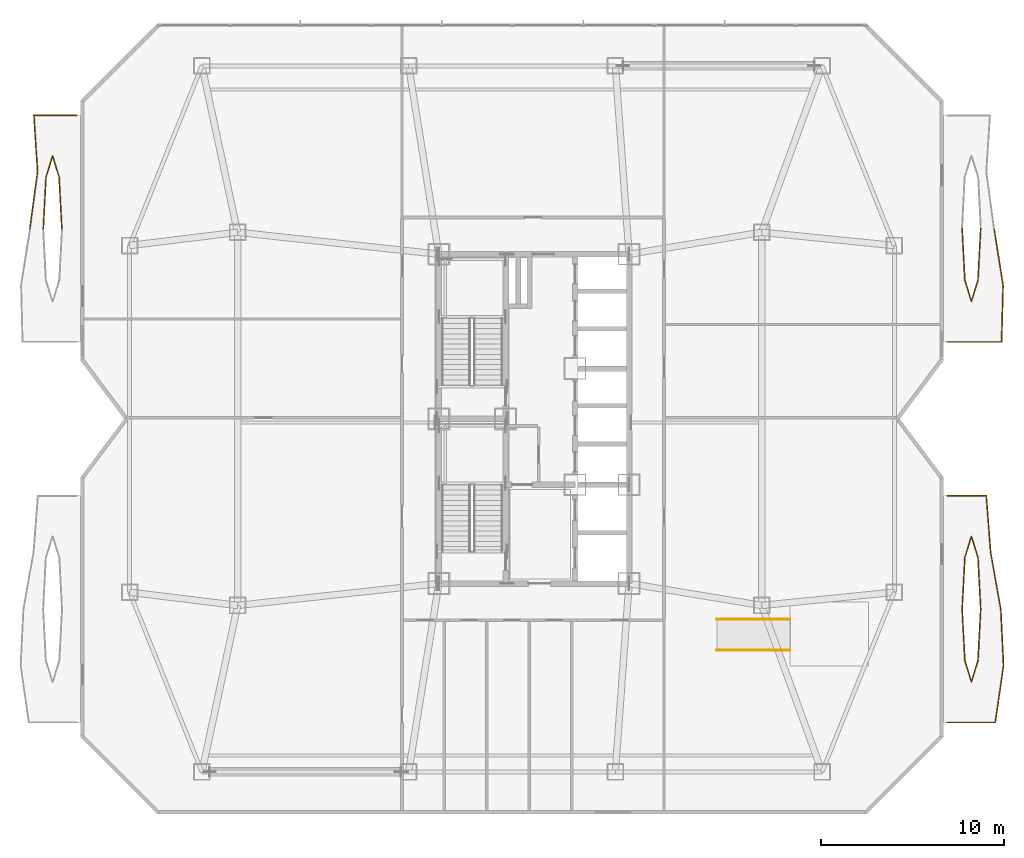
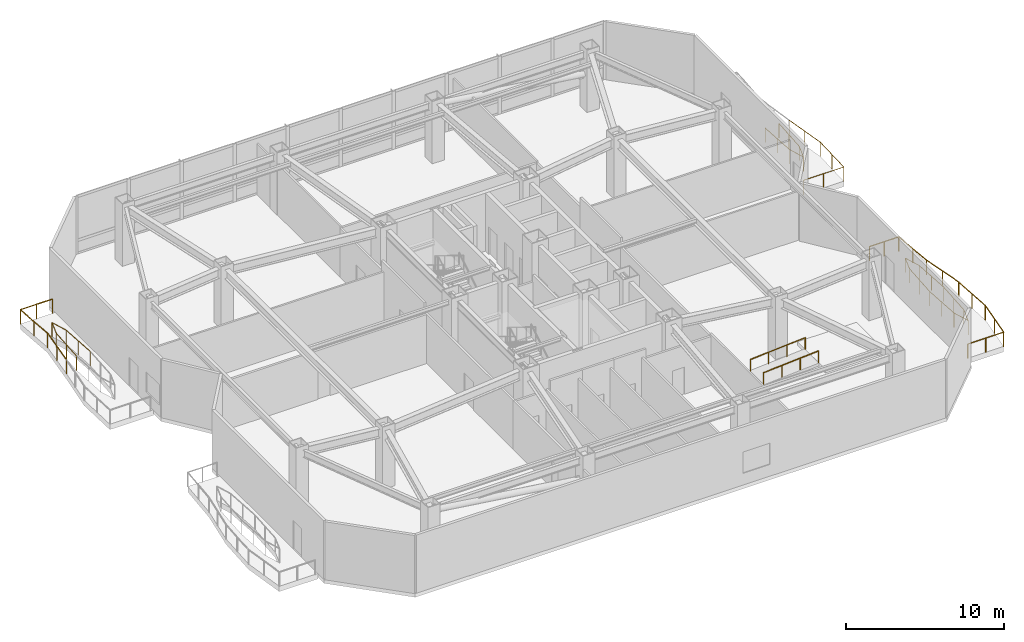
# One storey, part 15 of 16: 10 railings.
"""IFC4 building model written with IfcOpenShell, lengths in metres."""

from ifc_helpers import new_model, si_unit, direction, frame, origin, origin_2d, place, context, subcontext, project, spatial, circle, extrude, material, type_object, element, save


model = new_model("IFC4")

# Units and contexts
model_context = context("Model", 3, precision=1e-05, world=origin(), true_north=direction((0.0, 1.0)))
body_context = subcontext(model_context, "Body", "Model", "MODEL_VIEW")
ifc_project = project(units=[si_unit("LENGTHUNIT", "METRE"), si_unit("AREAUNIT", "SQUARE_METRE"), si_unit("VOLUMEUNIT", "CUBIC_METRE"), si_unit("PLANEANGLEUNIT", "RADIAN"), si_unit("MASSUNIT", "GRAM", prefix="KILO")], contexts=[model_context])

# Site, building, storey
site_placement = place(None, origin())
site = spatial("IfcSite", under=ifc_project, at=site_placement, CompositionType="ELEMENT")
building_placement = place(site_placement, origin())
building = spatial("IfcBuilding", under=site, at=building_placement, Name="Khamvora Tower", CompositionType="ELEMENT")
storey_placement = place(building_placement, frame((0.0, 0.0, 145.699951171875)))
storey = spatial("IfcBuildingStorey", under=building, at=storey_placement, Name="L37", CompositionType="ELEMENT", Elevation=145.699951171875)

# Railings
ifc_material_1 = material(Name="Stainless Steel 316 and Laminated Glass", Category="steel")
railing_type_1 = type_object("IfcRailingType", Name="RAL-GAL-1120", PredefinedType="GUARDRAIL", material=ifc_material_1)
railing_1_placement = place(storey_placement, frame((56.800048828125, 11.39990234375, 0.0)))
element("IfcRailing", 1, at=railing_1_placement, inside=storey, type_object=railing_type_1, Name="L37 lens gallery south perimeter guardrail EL1", PredefinedType="GUARDRAIL", context=body_context, shape_type="SweptSolid", body=[
    extrude(circle(Radius=0.02392578125, at=origin_2d()), frame((0.0, 0.0, 1.09619140625), z_axis=(1.0, 0.0, 0.0), x_axis=(0.0, 1.0, 0.0)), (0.0, 0.0, 1.0), 2.619873046875),
    extrude(circle(Radius=0.02392578125, at=origin_2d()), frame((2.619873046875, 0.0, 1.09619140625), z_axis=(0.144322789982, 0.989530662633, 0.0), x_axis=(-0.989530662633, 0.144322789982, 0.0)), (0.0, 0.0, 1.0), 3.1328125),
    extrude(circle(Radius=0.02392578125, at=origin_2d()), frame((3.072021484375, 3.10009765625, 1.09619140625), z_axis=(-0.0476697959, 0.998863149064, 0.0), x_axis=(-0.998863149064, -0.0476697959, 0.0)), (0.0, 0.0, 1.0), 3.103515625),
    extrude(circle(Radius=0.02099609375, at=origin_2d()), origin(), (0.0, 0.0, 1.0), 1.072021484375),
    extrude(circle(Radius=0.02099609375, at=origin_2d()), frame((1.31005859375, 0.0, 0.0)), (0.0, 0.0, 1.0), 1.072021484375),
    extrude(circle(Radius=0.02099609375, at=origin_2d()), frame((2.619873046875, 0.0, 0.0)), (0.0, 0.0, 1.0), 1.072021484375),
    extrude(circle(Radius=0.02099609375, at=origin_2d()), frame((2.845947265625, 1.550048828125, 0.0)), (0.0, 0.0, 1.0), 1.072021484375),
    extrude(circle(Radius=0.02099609375, at=origin_2d()), frame((3.072021484375, 3.10009765625, 0.0)), (0.0, 0.0, 1.0), 1.072021484375),
    extrude(circle(Radius=0.02099609375, at=origin_2d()), frame((2.998046875, 4.650146484375, 0.0)), (0.0, 0.0, 1.0), 1.072021484375),
    extrude(circle(Radius=0.02099609375, at=origin_2d()), frame((2.924072265625, 6.2001953125, 0.0)), (0.0, 0.0, 1.0), 1.072021484375),
])
railing_2_placement = place(storey_placement, frame((59.72412109375, 17.60009765625, 0.0)))
element("IfcRailing", 2, at=railing_2_placement, inside=storey, type_object=railing_type_1, Name="L37 lens gallery north perimeter guardrail EL1", PredefinedType="GUARDRAIL", context=body_context, shape_type="SweptSolid", body=[
    extrude(circle(Radius=0.02392578125, at=origin_2d()), frame((0.0, 0.0, 1.09619140625), z_axis=(-0.176592812148, 0.984283992909, 0.0), x_axis=(-0.984283992909, -0.176592812148, 0.0)), (0.0, 0.0, 1.0), 3.1494140625),
    extrude(circle(Radius=0.02392578125, at=origin_2d()), frame((-0.55615234375, 3.099853515625, 1.09619140625), z_axis=(-0.075933858286, 0.997112856785, 0.0), x_axis=(-0.997112856785, -0.075933858286, 0.0)), (0.0, 0.0, 1.0), 3.109130859375),
    extrude(circle(Radius=0.02392578125, at=origin_2d()), frame((-0.792236328125, 6.199951171875, 1.09619140625), z_axis=(-1.0, 0.0, 0.0), x_axis=(0.0, -1.0, 0.0)), (0.0, 0.0, 1.0), 2.1318359375),
    extrude(circle(Radius=0.02099609375, at=origin_2d()), origin(), (0.0, 0.0, 1.0), 1.072021484375),
    extrude(circle(Radius=0.02099609375, at=origin_2d()), frame((-0.278076171875, 1.5498046875, 0.0)), (0.0, 0.0, 1.0), 1.072021484375),
    extrude(circle(Radius=0.02099609375, at=origin_2d()), frame((-0.55615234375, 3.099853515625, 0.0)), (0.0, 0.0, 1.0), 1.072021484375),
    extrude(circle(Radius=0.02099609375, at=origin_2d()), frame((-0.67431640625, 4.64990234375, 0.0)), (0.0, 0.0, 1.0), 1.072021484375),
    extrude(circle(Radius=0.02099609375, at=origin_2d()), frame((-0.792236328125, 6.199951171875, 0.0)), (0.0, 0.0, 1.0), 1.072021484375),
    extrude(circle(Radius=0.02099609375, at=origin_2d()), frame((-1.858154296875, 6.199951171875, 0.0)), (0.0, 0.0, 1.0), 1.072021484375),
    extrude(circle(Radius=0.02099609375, at=origin_2d()), frame((-2.924072265625, 6.199951171875, 0.0)), (0.0, 0.0, 1.0), 1.072021484375),
])
railing_3_placement = place(storey_placement, frame((58.618896484375, 17.60009765625, 0.0)))
element("IfcRailing", 3, at=railing_3_placement, inside=storey, type_object=railing_type_1, Name="L37 lens gallery void guardrail EL1A", PredefinedType="GUARDRAIL", context=body_context, shape_type="SweptSolid", body=[
    extrude(circle(Radius=0.02392578125, at=origin_2d()), frame((0.0, 0.0, 1.09619140625), z_axis=(-0.052654602562, 0.998612784231, 0.0), x_axis=(-0.998612784231, -0.052654602562, 0.0)), (0.0, 0.0, 1.0), 2.809814453125),
    extrude(circle(Radius=0.02392578125, at=origin_2d()), frame((-0.14794921875, 2.805908203125, 1.09619140625), z_axis=(-0.292871691974, 0.956151751575, 0.0), x_axis=(-0.956151751575, -0.292871691974, 0.0)), (0.0, 0.0, 1.0), 1.21533203125),
    extrude(circle(Radius=0.02392578125, at=origin_2d()), frame((-0.50390625, 3.968017578125, 1.09619140625), z_axis=(-0.292871691974, -0.956151751575, 0.0), x_axis=(0.956151751575, -0.292871691974, 0.0)), (0.0, 0.0, 1.0), 1.21533203125),
    extrude(circle(Radius=0.02392578125, at=origin_2d()), frame((-0.85986328125, 2.805908203125, 1.09619140625), z_axis=(-0.052654602562, -0.998612784231, 0.0), x_axis=(0.998612784231, -0.052654602562, 0.0)), (0.0, 0.0, 1.0), 2.809814453125),
    extrude(circle(Radius=0.02099609375, at=origin_2d()), origin(), (0.0, 0.0, 1.0), 1.072021484375),
    extrude(circle(Radius=0.02099609375, at=origin_2d()), frame((-0.073974609375, 1.40283203125, 0.0)), (0.0, 0.0, 1.0), 1.072021484375),
    extrude(circle(Radius=0.02099609375, at=origin_2d()), frame((-0.14794921875, 2.805908203125, 0.0)), (0.0, 0.0, 1.0), 1.072021484375),
    extrude(circle(Radius=0.02099609375, at=origin_2d()), frame((-0.50390625, 3.968017578125, 0.0)), (0.0, 0.0, 1.0), 1.072021484375),
    extrude(circle(Radius=0.02099609375, at=origin_2d()), frame((-0.85986328125, 2.805908203125, 0.0)), (0.0, 0.0, 1.0), 1.072021484375),
    extrude(circle(Radius=0.02099609375, at=origin_2d()), frame((-0.933837890625, 1.40283203125, 0.0)), (0.0, 0.0, 1.0), 1.072021484375),
    extrude(circle(Radius=0.02099609375, at=origin_2d()), frame((-1.0078125, 0.0, 0.0)), (0.0, 0.0, 1.0), 1.072021484375),
])
railing_4_placement = place(storey_placement, frame((57.611083984375, 17.60009765625, 0.0)))
element("IfcRailing", 4, at=railing_4_placement, inside=storey, type_object=railing_type_1, Name="L37 lens gallery void guardrail EL1B", PredefinedType="GUARDRAIL", context=body_context, shape_type="SweptSolid", body=[
    extrude(circle(Radius=0.02392578125, at=origin_2d()), frame((0.0, 0.0, 1.09619140625), z_axis=(0.05265003421, -0.998613025099, 0.0), x_axis=(0.998613025099, 0.05265003421, 0.0)), (0.0, 0.0, 1.0), 2.81005859375),
    extrude(circle(Radius=0.02392578125, at=origin_2d()), frame((0.14794921875, -2.80615234375, 1.09619140625), z_axis=(0.292927952476, -0.956134517031, 0.0), x_axis=(0.956134517031, 0.292927952476, 0.0)), (0.0, 0.0, 1.0), 1.215087890625),
    extrude(circle(Radius=0.02392578125, at=origin_2d()), frame((0.50390625, -3.968017578125, 1.09619140625), z_axis=(0.292927952476, 0.956134517031, 0.0), x_axis=(-0.956134517031, 0.292927952476, 0.0)), (0.0, 0.0, 1.0), 1.215087890625),
    extrude(circle(Radius=0.02392578125, at=origin_2d()), frame((0.85986328125, -2.80615234375, 1.09619140625), z_axis=(0.05265003421, 0.998613025099, 0.0), x_axis=(-0.998613025099, 0.05265003421, 0.0)), (0.0, 0.0, 1.0), 2.81005859375),
    extrude(circle(Radius=0.02099609375, at=origin_2d()), origin(), (0.0, 0.0, 1.0), 1.072021484375),
    extrude(circle(Radius=0.02099609375, at=origin_2d()), frame((0.073974609375, -1.403076171875, 0.0)), (0.0, 0.0, 1.0), 1.072021484375),
    extrude(circle(Radius=0.02099609375, at=origin_2d()), frame((0.14794921875, -2.80615234375, 0.0)), (0.0, 0.0, 1.0), 1.072021484375),
    extrude(circle(Radius=0.02099609375, at=origin_2d()), frame((0.50390625, -3.968017578125, 0.0)), (0.0, 0.0, 1.0), 1.072021484375),
    extrude(circle(Radius=0.02099609375, at=origin_2d()), frame((0.85986328125, -2.80615234375, 0.0)), (0.0, 0.0, 1.0), 1.072021484375),
    extrude(circle(Radius=0.02099609375, at=origin_2d()), frame((0.933837890625, -1.403076171875, 0.0)), (0.0, 0.0, 1.0), 1.072021484375),
    extrude(circle(Radius=0.02099609375, at=origin_2d()), frame((1.0078125, 0.0, 0.0)), (0.0, 0.0, 1.0), 1.072021484375),
])
railing_5_placement = place(storey_placement, frame((56.800048828125, 32.199951171875, 0.0)))
element("IfcRailing", 5, at=railing_5_placement, inside=storey, type_object=railing_type_1, Name="L37 lens gallery south perimeter guardrail EL2", PredefinedType="GUARDRAIL", context=body_context, shape_type="SweptSolid", body=[
    extrude(circle(Radius=0.02392578125, at=origin_2d()), frame((0.0, 0.0, 1.09619140625), z_axis=(1.0, 0.0, 0.0), x_axis=(0.0, 1.0, 0.0)), (0.0, 0.0, 1.0), 2.967041015625),
    extrude(circle(Radius=0.02392578125, at=origin_2d()), frame((2.967041015625, 0.0, 1.09619140625), z_axis=(0.026451601196, 0.99965009518, 0.0), x_axis=(-0.99965009518, 0.026451601196, 0.0)), (0.0, 0.0, 1.0), 3.10107421875),
    extrude(circle(Radius=0.02392578125, at=origin_2d()), frame((3.049072265625, 3.10009765625, 1.09619140625), z_axis=(-0.155826743206, 0.987784402641, 0.0), x_axis=(-0.987784402641, -0.155826743206, 0.0)), (0.0, 0.0, 1.0), 3.13818359375),
    extrude(circle(Radius=0.02099609375, at=origin_2d()), origin(), (0.0, 0.0, 1.0), 1.072021484375),
    extrude(circle(Radius=0.02099609375, at=origin_2d()), frame((1.4833984375, 0.0, 0.0)), (0.0, 0.0, 1.0), 1.072021484375),
    extrude(circle(Radius=0.02099609375, at=origin_2d()), frame((2.967041015625, 0.0, 0.0)), (0.0, 0.0, 1.0), 1.072021484375),
    extrude(circle(Radius=0.02099609375, at=origin_2d()), frame((3.008056640625, 1.550048828125, 0.0)), (0.0, 0.0, 1.0), 1.072021484375),
    extrude(circle(Radius=0.02099609375, at=origin_2d()), frame((3.049072265625, 3.10009765625, 0.0)), (0.0, 0.0, 1.0), 1.072021484375),
    extrude(circle(Radius=0.02099609375, at=origin_2d()), frame((2.8046875, 4.64990234375, 0.0)), (0.0, 0.0, 1.0), 1.072021484375),
    extrude(circle(Radius=0.02099609375, at=origin_2d()), frame((2.56005859375, 6.199951171875, 0.0)), (0.0, 0.0, 1.0), 1.072021484375),
])
railing_6_placement = place(storey_placement, frame((57.611083984375, 38.39990234375, 0.0)))
element("IfcRailing", 6, at=railing_6_placement, inside=storey, type_object=railing_type_1, Name="L37 lens gallery void guardrail EL2B", PredefinedType="GUARDRAIL", context=body_context, shape_type="SweptSolid", body=[
    extrude(circle(Radius=0.02392578125, at=origin_2d()), frame((0.0, 0.0, 1.09619140625), z_axis=(0.052654602562, -0.998612784231, 0.0), x_axis=(0.998612784231, 0.052654602562, 0.0)), (0.0, 0.0, 1.0), 2.809814453125),
    extrude(circle(Radius=0.02392578125, at=origin_2d()), frame((0.14794921875, -2.805908203125, 1.09619140625), z_axis=(0.292871691974, -0.956151751575, 0.0), x_axis=(0.956151751575, 0.292871691974, 0.0)), (0.0, 0.0, 1.0), 1.21533203125),
    extrude(circle(Radius=0.02392578125, at=origin_2d()), frame((0.50390625, -3.968017578125, 1.09619140625), z_axis=(0.292871691974, 0.956151751575, 0.0), x_axis=(-0.956151751575, 0.292871691974, 0.0)), (0.0, 0.0, 1.0), 1.21533203125),
    extrude(circle(Radius=0.02392578125, at=origin_2d()), frame((0.85986328125, -2.805908203125, 1.09619140625), z_axis=(0.052654602562, 0.998612784231, 0.0), x_axis=(-0.998612784231, 0.052654602562, 0.0)), (0.0, 0.0, 1.0), 2.809814453125),
    extrude(circle(Radius=0.02099609375, at=origin_2d()), origin(), (0.0, 0.0, 1.0), 1.072021484375),
    extrude(circle(Radius=0.02099609375, at=origin_2d()), frame((0.073974609375, -1.40283203125, 0.0)), (0.0, 0.0, 1.0), 1.072021484375),
    extrude(circle(Radius=0.02099609375, at=origin_2d()), frame((0.14794921875, -2.805908203125, 0.0)), (0.0, 0.0, 1.0), 1.072021484375),
    extrude(circle(Radius=0.02099609375, at=origin_2d()), frame((0.50390625, -3.968017578125, 0.0)), (0.0, 0.0, 1.0), 1.072021484375),
    extrude(circle(Radius=0.02099609375, at=origin_2d()), frame((0.85986328125, -2.805908203125, 0.0)), (0.0, 0.0, 1.0), 1.072021484375),
    extrude(circle(Radius=0.02099609375, at=origin_2d()), frame((0.933837890625, -1.40283203125, 0.0)), (0.0, 0.0, 1.0), 1.072021484375),
    extrude(circle(Radius=0.02099609375, at=origin_2d()), frame((1.0078125, 0.0, 0.0)), (0.0, 0.0, 1.0), 1.072021484375),
])
railing_7_placement = place(storey_placement, frame((6.639892578125, 38.39990234375, 0.0)))
element("IfcRailing", 7, at=railing_7_placement, inside=storey, type_object=railing_type_1, Name="L37 lens gallery north perimeter guardrail WL2", PredefinedType="GUARDRAIL", context=body_context, shape_type="SweptSolid", body=[
    extrude(circle(Radius=0.02392578125, at=origin_2d()), frame((0.0, 0.0, 1.09619140625), z_axis=(0.134305225995, 0.990940011439, 0.0), x_axis=(-0.990940011439, 0.134305225995, 0.0)), (0.0, 0.0, 1.0), 3.12841796875),
    extrude(circle(Radius=0.02392578125, at=origin_2d()), frame((0.420166015625, 3.10009765625, 1.09619140625), z_axis=(-0.063738458242, 0.997966637188, 0.0), x_axis=(-0.997966637188, -0.063738458242, 0.0)), (0.0, 0.0, 1.0), 3.1064453125),
    extrude(circle(Radius=0.02392578125, at=origin_2d()), frame((0.22216796875, 6.2001953125, 1.09619140625), z_axis=(1.0, 0.0, 0.0), x_axis=(0.0, 1.0, 0.0)), (0.0, 0.0, 1.0), 2.337890625),
    extrude(circle(Radius=0.02099609375, at=origin_2d()), origin(), (0.0, 0.0, 1.0), 1.072021484375),
    extrude(circle(Radius=0.02099609375, at=origin_2d()), frame((0.2099609375, 1.550048828125, 0.0)), (0.0, 0.0, 1.0), 1.072021484375),
    extrude(circle(Radius=0.02099609375, at=origin_2d()), frame((0.420166015625, 3.10009765625, 0.0)), (0.0, 0.0, 1.0), 1.072021484375),
    extrude(circle(Radius=0.02099609375, at=origin_2d()), frame((0.3212890625, 4.650146484375, 0.0)), (0.0, 0.0, 1.0), 1.072021484375),
    extrude(circle(Radius=0.02099609375, at=origin_2d()), frame((0.22216796875, 6.2001953125, 0.0)), (0.0, 0.0, 1.0), 1.072021484375),
    extrude(circle(Radius=0.02099609375, at=origin_2d()), frame((1.39111328125, 6.2001953125, 0.0)), (0.0, 0.0, 1.0), 1.072021484375),
    extrude(circle(Radius=0.02099609375, at=origin_2d()), frame((2.56005859375, 6.2001953125, 0.0)), (0.0, 0.0, 1.0), 1.072021484375),
])
railing_8_placement = place(storey_placement, frame((8.388916015625, 38.39990234375, 0.0)))
element("IfcRailing", 8, at=railing_8_placement, inside=storey, type_object=railing_type_1, Name="L37 lens gallery void guardrail WL2A", PredefinedType="GUARDRAIL", context=body_context, shape_type="SweptSolid", body=[
    extrude(circle(Radius=0.02392578125, at=origin_2d()), frame((0.0, 0.0, 1.09619140625), z_axis=(-0.05265003421, 0.998613025099, 0.0), x_axis=(-0.998613025099, -0.05265003421, 0.0)), (0.0, 0.0, 1.0), 2.81005859375),
    extrude(circle(Radius=0.02392578125, at=origin_2d()), frame((-0.14794921875, 2.80615234375, 1.09619140625), z_axis=(-0.292927952476, 0.956134517031, 0.0), x_axis=(-0.956134517031, -0.292927952476, 0.0)), (0.0, 0.0, 1.0), 1.215087890625),
    extrude(circle(Radius=0.02392578125, at=origin_2d()), frame((-0.50390625, 3.968017578125, 1.09619140625), z_axis=(-0.292927952476, -0.956134517031, 0.0), x_axis=(0.956134517031, -0.292927952476, 0.0)), (0.0, 0.0, 1.0), 1.215087890625),
    extrude(circle(Radius=0.02392578125, at=origin_2d()), frame((-0.85986328125, 2.80615234375, 1.09619140625), z_axis=(-0.05265003421, -0.998613025099, 0.0), x_axis=(0.998613025099, -0.05265003421, 0.0)), (0.0, 0.0, 1.0), 2.81005859375),
    extrude(circle(Radius=0.02099609375, at=origin_2d()), origin(), (0.0, 0.0, 1.0), 1.072021484375),
    extrude(circle(Radius=0.02099609375, at=origin_2d()), frame((-0.073974609375, 1.403076171875, 0.0)), (0.0, 0.0, 1.0), 1.072021484375),
    extrude(circle(Radius=0.02099609375, at=origin_2d()), frame((-0.14794921875, 2.80615234375, 0.0)), (0.0, 0.0, 1.0), 1.072021484375),
    extrude(circle(Radius=0.02099609375, at=origin_2d()), frame((-0.50390625, 3.968017578125, 0.0)), (0.0, 0.0, 1.0), 1.072021484375),
    extrude(circle(Radius=0.02099609375, at=origin_2d()), frame((-0.85986328125, 2.80615234375, 0.0)), (0.0, 0.0, 1.0), 1.072021484375),
    extrude(circle(Radius=0.02099609375, at=origin_2d()), frame((-0.933837890625, 1.403076171875, 0.0)), (0.0, 0.0, 1.0), 1.072021484375),
    extrude(circle(Radius=0.02099609375, at=origin_2d()), frame((-1.0078125, 0.0, 0.0)), (0.0, 0.0, 1.0), 1.072021484375),
])
ifc_material_2 = material(Name="Brushed Stainless Steel 316", Category="steel")
railing_type_2 = type_object("IfcRailingType", Name="RAL-HDR-920", PredefinedType="HANDRAIL", material=ifc_material_2)
for number, where, name in (
    (9, (44.199951171875, 15.360107421875, 0.0), "L37 Sky-Garden Accessible Planter Deck Ramp RMP-02 handrail 1"),
    (10, (44.199951171875, 17.0400390625, 0.0), "L37 Sky-Garden Accessible Planter Deck Ramp RMP-02 handrail 2"),
):
    element("IfcRailing", number, at=place(storey_placement, frame(where)), inside=storey, type_object=railing_type_2, Name=name, PredefinedType="HANDRAIL", context=body_context, shape_type="SweptSolid", body=[
        extrude(circle(Radius=0.02392578125, at=origin_2d()), frame((0.0, 0.0, 0.89599609375), z_axis=(0.997558458165, 0.0, 0.069836398408), x_axis=(0.0, 1.0, 0.0)), (0.0, 0.0, 1.0), 4.009765625),
        extrude(circle(Radius=0.02099609375, at=origin_2d()), origin(), (0.0, 0.0, 1.0), 0.871826171875),
        extrude(circle(Radius=0.02099609375, at=origin_2d()), frame((1.333251953125, 0.0, 0.09326171875)), (0.0, 0.0, 1.0), 0.871826171875),
        extrude(circle(Radius=0.02099609375, at=origin_2d()), frame((2.666748046875, 0.0, 0.186767578125)), (0.0, 0.0, 1.0), 0.871826171875),
        extrude(circle(Radius=0.02099609375, at=origin_2d()), frame((4.0, 0.0, 0.280029296875)), (0.0, 0.0, 1.0), 0.871826171875),
    ])

save(model, "model.ifc")
